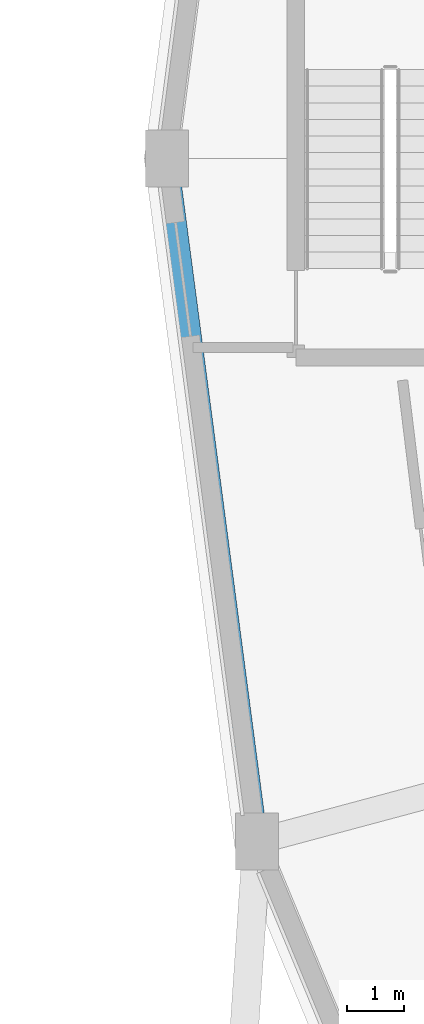
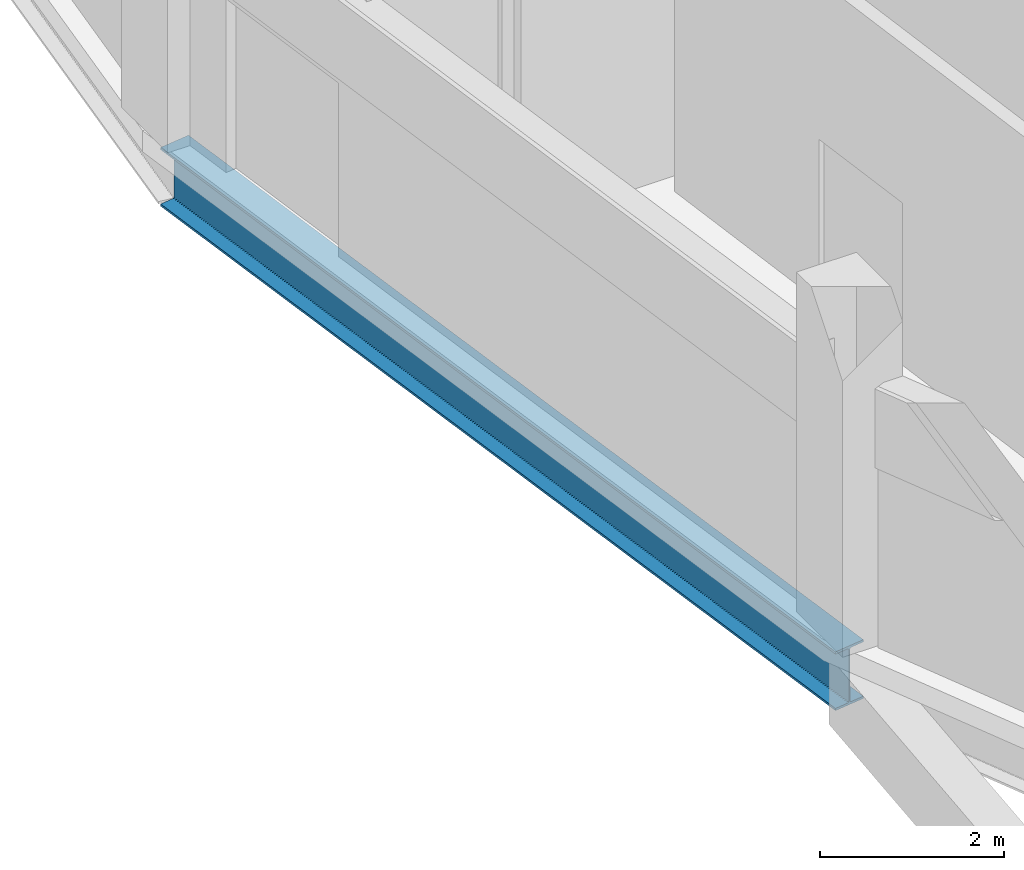
# One storey, part 27 of 129: 1 beam.
"""IFC4 building model written with IfcOpenShell, lengths in metres."""

import ifcopenshell
import ifcopenshell.guid

model = None  # the IFC model being written
_history = None  # IfcOwnerHistory: only IFC2X3 demands one
_inside = {}  # id of a spatial element -> (the spatial element, [elements in it])
_under = {}  # id of a project, library or spatial element -> (it, [spatial elements below it])
_declared = {}  # id of a project -> (the project, [libraries it declares])
_typed = {}  # id of a type object -> (the type object, [elements of that type])
_made_of = {}  # id of a material, layer set ... -> (it, [elements and type objects made of it])


def new_model(schema):
    """Start an empty IFC model of exactly this schema.

    Asked for "IFC4X3", IfcOpenShell would pick the latest addendum, in which some entities
    have other attributes; the version numbers below select the first issue.
    IFC2X3 requires an IfcOwnerHistory on every rooted entity: one is made here for all.
    """
    global model, _history
    if schema == "IFC4X3":
        model = ifcopenshell.file(schema_version=(4, 3, 0, 0))
    else:
        model = ifcopenshell.file(schema=schema)
    _inside.clear()
    _under.clear()
    _declared.clear()
    _typed.clear()
    _made_of.clear()
    _history = None
    if model.schema == "IFC2X3":
        org = make("IfcOrganization", Name="unknown")
        user = make(
            "IfcPersonAndOrganization",
            ThePerson=make("IfcPerson", FamilyName="unknown"),
            TheOrganization=org,
        )
        app = make(
            "IfcApplication",
            ApplicationDeveloper=org,
            Version="unknown",
            ApplicationFullName="unknown",
            ApplicationIdentifier="unknown",
        )
        _history = make(
            "IfcOwnerHistory",
            OwningUser=user,
            OwningApplication=app,
            ChangeAction="ADDED",
            CreationDate=0,
        )
    return model


def make(cls, **values):
    """One entity of the class cls with the attributes given. An attribute that is None is left unset."""
    return model.create_entity(
        cls, **{name: value for name, value in values.items() if value is not None}
    )


def rooted(cls, **values):
    """An entity with a GlobalId (a new one), such as an element, a storey or a relation."""
    return make(cls, GlobalId=ifcopenshell.guid.new(), OwnerHistory=_history, **values)


def si_unit(unit_type, name, prefix=None):
    """IfcSIUnit, for example si_unit("LENGTHUNIT", "METRE", prefix="MILLI")."""
    return make("IfcSIUnit", UnitType=unit_type, Prefix=prefix, Name=name)


def assignment(units):
    """IfcUnitAssignment: the units of a project."""
    return None if units is None else make("IfcUnitAssignment", Units=units)


def point(xyz):
    """IfcCartesianPoint."""
    return None if xyz is None else make("IfcCartesianPoint", Coordinates=xyz)


def direction(xyz):
    """IfcDirection."""
    return None if xyz is None else make("IfcDirection", DirectionRatios=xyz)


def frame(location, z_axis=None, x_axis=None):
    """IfcAxis2Placement3D, a coordinate frame: its origin and axes. An axis left out is left unset."""
    return make(
        "IfcAxis2Placement3D",
        Location=point(location),
        Axis=direction(z_axis),
        RefDirection=direction(x_axis),
    )


def frame_2d(location, x_axis=None):
    """IfcAxis2Placement2D, a coordinate frame in the plane: its origin and x axis."""
    return make(
        "IfcAxis2Placement2D", Location=point(location), RefDirection=direction(x_axis)
    )


def origin():
    """The frame at (0, 0, 0) with its axes left unset."""
    return frame((0.0, 0.0, 0.0))


def origin_2d():
    """The frame at (0, 0) in the plane with its x axis left unset."""
    return frame_2d((0.0, 0.0))


def place(relative_to, where):
    """IfcLocalPlacement: puts the frame where relative to a parent placement (None: the world)."""
    return make(
        "IfcLocalPlacement", PlacementRelTo=relative_to, RelativePlacement=where
    )


def context(
    kind, dimensions, precision=None, world=None, true_north=None, identifier=None
):
    """IfcGeometricRepresentationContext, for example the 3D "Model" context."""
    return make(
        "IfcGeometricRepresentationContext",
        ContextIdentifier=identifier,
        ContextType=kind,
        CoordinateSpaceDimension=dimensions,
        Precision=precision,
        WorldCoordinateSystem=world,
        TrueNorth=true_north,
    )


def subcontext(parent, identifier, kind, view, scale=None):
    """IfcGeometricRepresentationSubContext, for example "Body" below "Model"."""
    return make(
        "IfcGeometricRepresentationSubContext",
        ContextIdentifier=identifier,
        ContextType=kind,
        ParentContext=parent,
        TargetScale=scale,
        TargetView=view,
    )


def project(units=None, contexts=None):
    """IfcProject with its units and contexts."""
    return rooted(
        "IfcProject",
        Name="project",
        RepresentationContexts=contexts,
        UnitsInContext=assignment(units),
    )


def spatial(cls, under=None, at=None, **own):
    """A site, building, storey or space (cls), placed at a placement, below another one or the project."""
    s = rooted(cls, ObjectPlacement=at, **own)
    if under is not None:
        _under.setdefault(under.id(), (under, []))[1].append(s)
    return s


def profile(cls, at=None, kind="AREA", **sizes):
    """A parametric profile (cls). Its sizes go by their IFC names, for example OverallWidth=200.0."""
    return make(cls, ProfileType=kind, Position=at, **sizes)


def i_section(**sizes):
    """IfcIShapeProfileDef."""
    return profile("IfcIShapeProfileDef", **sizes)


def extrude(swept, where, along, depth):
    """IfcExtrudedAreaSolid: the profile swept, set in the frame where, extruded along a direction by depth."""
    return make(
        "IfcExtrudedAreaSolid",
        SweptArea=swept,
        Position=where,
        ExtrudedDirection=direction(along),
        Depth=depth,
    )


def shape(context_of_items, identifier, shape_type, items):
    """IfcShapeRepresentation: the items that make up one representation, for example the "Body"."""
    return make(
        "IfcShapeRepresentation",
        ContextOfItems=context_of_items,
        RepresentationIdentifier=identifier,
        RepresentationType=shape_type,
        Items=items,
    )


def material(Name=None, Category=None):
    """IfcMaterial."""
    return make("IfcMaterial", Name=Name, Category=Category)


def material_profile(
    of_material, cross_section, Name=None, Category=None, Priority=None
):
    """IfcMaterialProfile: a cross section and its material."""
    return make(
        "IfcMaterialProfile",
        Name=Name,
        Material=of_material,
        Profile=cross_section,
        Priority=Priority,
        Category=Category,
    )


def profile_set(profiles, Name=None, composite=None):
    """IfcMaterialProfileSet."""
    return make(
        "IfcMaterialProfileSet",
        Name=Name,
        MaterialProfiles=profiles,
        CompositeProfile=composite,
    )


def made_of(thing, what):
    """Note that an element or type object is made of a material, layer set ...; save() writes the relation."""
    if what is not None:
        _made_of.setdefault(what.id(), (what, []))[1].append(thing)
    return thing


def type_object(cls, material=None, **own):
    """A type object (cls), such as IfcWallType, which elements share."""
    return made_of(rooted(cls, **own), material)


def element(
    cls,
    number,
    at=None,
    inside=None,
    cuts=None,
    type_object=None,
    material=None,
    context=None,
    identifier="Body",
    shape_type=None,
    held_by="IfcProductDefinitionShape",
    body=None,
    shapes=None,
    **own,
):
    """One element of the class cls, such as IfcWall. Its Tag is "e" and its number.

    at: its placement. inside: the storey or other place that contains it. cuts: it is an
    opening in that element (IfcRelVoidsElement). A single representation is given by context,
    identifier, shape_type and body (its items); several are given by shapes. held_by: the class
    of the entity that holds the representations. save() writes the other relations.
    """
    e = rooted(cls, Tag="e%d" % number, ObjectPlacement=at, **own)
    if body is not None:
        shapes = [shape(context, identifier, shape_type, body)]
    if shapes is not None:
        e.Representation = make(held_by, Representations=shapes)
    if inside is not None:
        _inside.setdefault(inside.id(), (inside, []))[1].append(e)
    if cuts is not None:
        rooted(
            "IfcRelVoidsElement", RelatingBuildingElement=cuts, RelatedOpeningElement=e
        )
    if type_object is not None:
        _typed.setdefault(type_object.id(), (type_object, []))[1].append(e)
    return made_of(e, material)


def aggregate(whole, parts):
    """IfcRelAggregates: a whole, such as a stair, and the parts it consists of."""
    return rooted("IfcRelAggregates", RelatingObject=whole, RelatedObjects=parts)


def save(model, path):
    """Write the relations noted so far, then the file.

    IfcRelAggregates (storeys below a building ...), IfcRelContainedInSpatialStructure (elements
    in a storey), IfcRelDefinesByType, IfcRelAssociatesMaterial and IfcRelDeclares: one each for
    every whole, place, type object, material and project.
    """
    for whole, parts in _under.values():
        aggregate(whole, parts)
    for where, things in _inside.values():
        rooted(
            "IfcRelContainedInSpatialStructure",
            RelatedElements=things,
            RelatingStructure=where,
        )
    for kind, things in _typed.values():
        rooted("IfcRelDefinesByType", RelatedObjects=things, RelatingType=kind)
    for what, things in _made_of.values():
        rooted("IfcRelAssociatesMaterial", RelatedObjects=things, RelatingMaterial=what)
    for by, libraries in _declared.values():
        rooted("IfcRelDeclares", RelatingContext=by, RelatedDefinitions=libraries)
    model.write(path)


model = new_model("IFC4")

# Units and contexts
model_context = context("Model", 3, precision=1e-05, world=origin(), true_north=direction((0.0, 1.0)))
body_context = subcontext(model_context, "Body", "Model", "MODEL_VIEW")
ifc_project = project(units=[si_unit("LENGTHUNIT", "METRE"), si_unit("AREAUNIT", "SQUARE_METRE"), si_unit("VOLUMEUNIT", "CUBIC_METRE"), si_unit("PLANEANGLEUNIT", "RADIAN"), si_unit("MASSUNIT", "GRAM", prefix="KILO")], contexts=[model_context])

# Site, building, storey
site_placement = place(None, origin())
site = spatial("IfcSite", under=ifc_project, at=site_placement, CompositionType="ELEMENT")
building_placement = place(site_placement, origin())
building = spatial("IfcBuilding", under=site, at=building_placement, Name="Vespera Passage Community Centre", CompositionType="ELEMENT")
storey_placement = place(building_placement, origin())
storey = spatial("IfcBuildingStorey", under=building, at=storey_placement, Name="L00", CompositionType="ELEMENT", Elevation=0.0)

# Beam
ifc_material = material(Name="Steel ASTM A992 Grade 50", Category="steel")
ifc_material_profile = material_profile(ifc_material, i_section(OverallWidth=0.382080078125, OverallDepth=0.779296875, WebThickness=0.01806640625, FlangeThickness=0.030029296875, FilletRadius=0.0166015625, at=origin_2d()), Name="W30X191")
ifc_profile_set = profile_set([ifc_material_profile], Name="Steel ASTM A992 Grade 50")
beam_type = type_object("IfcBeamType", Name="BM-SP-W30X191E", PredefinedType="SPANDREL", material=ifc_profile_set)
beam_placement = place(storey_placement, frame((31.89990234375, 65.5, -0.669677734375), z_axis=(0.130523782115, -0.991445178667, 0.0), x_axis=(0.991445178667, 0.130523782115, 0.0)))
element("IfcBeam", 1, at=beam_placement, inside=storey, type_object=beam_type, Name="V4 L00 Outer Spandrel 12", PredefinedType="SPANDREL", context=body_context, shape_type="SweptSolid", body=[
    extrude(i_section(OverallWidth=0.382080078125, OverallDepth=0.779296875, WebThickness=0.01806640625, FlangeThickness=0.030029296875, FilletRadius=0.0166015625, at=origin_2d()), origin(), (0.0, 0.0, 1.0), 12.03466796875),
])

save(model, "model.ifc")
